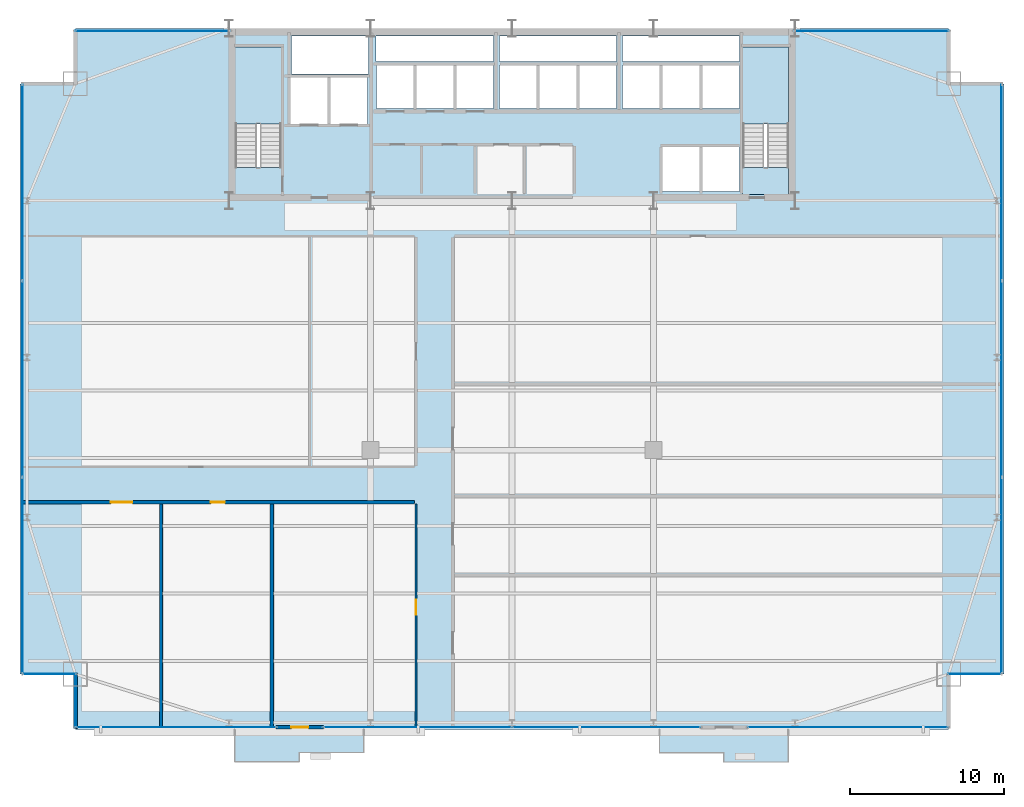
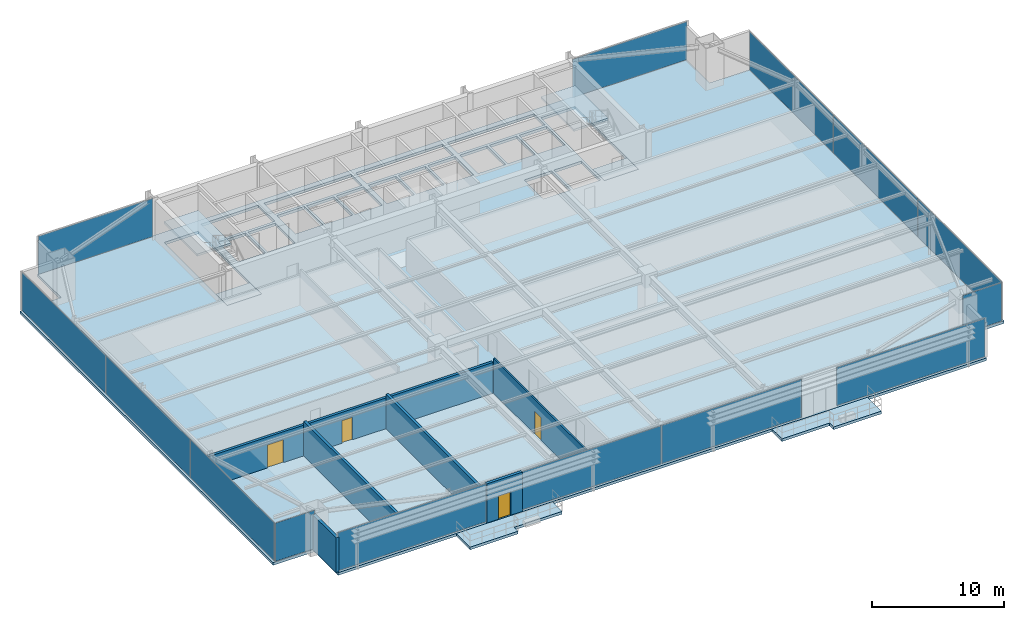
# One storey, part 24 of 29: 14 plates, 7 slabs, 6 walls, 4 doors, 4 openings, 11 elements without a shape of their own.
"""IFC4 building model written with IfcOpenShell, lengths in metres."""

from ifc_helpers import new_model, si_unit, direction, frame, frame_2d, origin, origin_2d, place, context, subcontext, project, spatial, polyline, rectangle, outline, extrude, source, transform, mapped, material, layer, layer_set, type_object, type_shapes, element, fill, aggregate, save


model = new_model("IFC4")

# Units and contexts
model_context = context("Model", 3, precision=1e-05, world=origin(), true_north=direction((0.0, 1.0)))
body_context = subcontext(model_context, "Body", "Model", "MODEL_VIEW")
ifc_project = project(units=[si_unit("LENGTHUNIT", "METRE"), si_unit("AREAUNIT", "SQUARE_METRE"), si_unit("VOLUMEUNIT", "CUBIC_METRE"), si_unit("PLANEANGLEUNIT", "RADIAN"), si_unit("MASSUNIT", "GRAM", prefix="KILO")], contexts=[model_context])

# Site, building, storey
site_placement = place(None, origin())
site = spatial("IfcSite", under=ifc_project, at=site_placement, CompositionType="ELEMENT")
building_placement = place(site_placement, origin())
building = spatial("IfcBuilding", under=site, at=building_placement, Name="Varnel Quay Broadcast Tower", CompositionType="ELEMENT")
storey_placement = place(building_placement, frame((0.0, 0.0, 74.39990234375)))
storey = spatial("IfcBuildingStorey", under=building, at=storey_placement, Name="L17", CompositionType="ELEMENT", Elevation=74.39990234375)

# Slabs
ifc_material_1 = material(Name="Concrete CSA A23.3 C40/50", Category="concrete")
ifc_layer_1 = layer(ifc_material_1, 0.25, Name="Concrete CSA A23.3 C40/50")
ifc_layer_set_1 = layer_set([ifc_layer_1], Name="Concrete CSA A23.3 C40/50")
slab_type_1 = type_object("IfcSlabType", Name="Slab_ExtTerrace250", PredefinedType="FLOOR", material=ifc_layer_set_1)
slab_1_placement = place(storey_placement, frame((0.0, 0.0, -0.25)))
element("IfcSlab", 1, at=slab_1_placement, inside=storey, type_object=slab_type_1, Name="L17 Planted Lobe Terrace Slab 1", PredefinedType="FLOOR", context=body_context, shape_type="SweptSolid", body=[
    extrude(outline(polyline([(15.9599609375, -0.886962890625), (20.159912109375, -0.886962890625), (20.159912109375, -0.287109375), (24.360107421875, -0.287109375), (24.360107421875, 1.199951171875), (15.9599609375, 1.199951171875), (15.9599609375, -0.886962890625)])), origin(), (0.0, 0.0, 1.0), 0.25),
])
slab_2_placement = place(storey_placement, frame((0.0, 0.0, -0.25)))
element("IfcSlab", 2, at=slab_2_placement, inside=storey, type_object=slab_type_1, Name="L17 Planted Lobe Terrace Slab 2", PredefinedType="FLOOR", context=body_context, shape_type="SweptSolid", body=[
    extrude(outline(polyline([(43.60009765625, -0.31298828125), (47.780029296875, -0.31298828125), (47.780029296875, -0.9130859375), (51.9599609375, -0.9130859375), (51.9599609375, 1.199951171875), (43.60009765625, 1.199951171875), (43.60009765625, -0.31298828125)])), origin(), (0.0, 0.0, 1.0), 0.25),
])
ifc_material_2 = material(Name="Concrete CSA A23.3 C50/60", Category="concrete")
ifc_layer_2 = layer(ifc_material_2, 0.25, Name="Concrete CSA A23.3 C50/60")
ifc_layer_set_2 = layer_set([ifc_layer_2], Name="Concrete CSA A23.3 C50/60")
slab_type_2 = type_object("IfcSlabType", Name="Slab_Floor250", PredefinedType="FLOOR", material=ifc_layer_set_2)
slab_3_placement = place(storey_placement, frame((0.0, 0.0, -0.25)))
element("IfcSlab", 3, at=slab_3_placement, inside=storey, type_object=slab_type_2, Name="L17 Structural Slab", PredefinedType="FLOOR", context=body_context, shape_type="SweptSolid", body=[
    extrude(outline(polyline([(5.60009765625, 1.199951171875), (62.39990234375, 1.199951171875), (62.39990234375, 4.800048828125), (66.0, 4.800048828125), (66.0, 43.199951171875), (62.39990234375, 43.199951171875), (62.39990234375, 46.800048828125), (5.60009765625, 46.800048828125), (5.60009765625, 43.199951171875), (2.0, 43.199951171875), (2.0, 4.800048828125), (5.60009765625, 4.800048828125), (5.60009765625, 1.199951171875)]), holes=[polyline([(16.0, 36.0), (16.0, 45.60009765625), (19.0, 45.60009765625), (19.0, 36.0), (16.0, 36.0)]), polyline([(19.60009765625, 43.60009765625), (22.0, 43.60009765625), (22.0, 40.60009765625), (19.60009765625, 40.60009765625), (19.60009765625, 43.60009765625)]), polyline([(22.199951171875, 43.60009765625), (24.60009765625, 43.60009765625), (24.60009765625, 40.60009765625), (22.199951171875, 40.60009765625), (22.199951171875, 43.60009765625)]), polyline([(25.199951171875, 44.39990234375), (27.60009765625, 44.39990234375), (27.60009765625, 41.60009765625), (25.199951171875, 41.60009765625), (25.199951171875, 44.39990234375)]), polyline([(27.800048828125, 44.39990234375), (30.199951171875, 44.39990234375), (30.199951171875, 41.60009765625), (27.800048828125, 41.60009765625), (27.800048828125, 44.39990234375)]), polyline([(30.39990234375, 44.39990234375), (32.800048828125, 44.39990234375), (32.800048828125, 41.60009765625), (30.39990234375, 41.60009765625), (30.39990234375, 44.39990234375)]), polyline([(33.199951171875, 44.39990234375), (35.60009765625, 44.39990234375), (35.60009765625, 41.60009765625), (33.199951171875, 41.60009765625), (33.199951171875, 44.39990234375)]), polyline([(38.199951171875, 44.39990234375), (38.199951171875, 41.60009765625), (35.800048828125, 41.60009765625), (35.800048828125, 44.39990234375), (38.199951171875, 44.39990234375)]), polyline([(24.679931640625, 46.300048828125), (24.679931640625, 43.85009765625), (19.64990234375, 43.85009765625), (19.64990234375, 46.300048828125), (24.679931640625, 46.300048828125)]), polyline([(25.14990234375, 46.300048828125), (32.800048828125, 46.300048828125), (32.800048828125, 44.64990234375), (25.14990234375, 44.64990234375), (25.14990234375, 46.300048828125)]), polyline([(43.800048828125, 39.10009765625), (46.199951171875, 39.10009765625), (46.199951171875, 36.199951171875), (43.800048828125, 36.199951171875), (43.800048828125, 39.10009765625)]), polyline([(46.39990234375, 39.10009765625), (48.800048828125, 39.10009765625), (48.800048828125, 36.199951171875), (46.39990234375, 36.199951171875), (46.39990234375, 39.10009765625)]), polyline([(49.0, 45.60009765625), (52.0, 45.60009765625), (52.0, 36.0), (49.0, 36.0), (49.0, 45.60009765625)]), polyline([(40.800048828125, 44.39990234375), (40.800048828125, 41.60009765625), (38.39990234375, 41.60009765625), (38.39990234375, 44.39990234375), (40.800048828125, 44.39990234375)]), polyline([(41.199951171875, 44.39990234375), (43.60009765625, 44.39990234375), (43.60009765625, 41.60009765625), (41.199951171875, 41.60009765625), (41.199951171875, 44.39990234375)]), polyline([(43.800048828125, 44.39990234375), (46.199951171875, 44.39990234375), (46.199951171875, 41.60009765625), (43.800048828125, 41.60009765625), (43.800048828125, 44.39990234375)]), polyline([(46.39990234375, 44.39990234375), (48.800048828125, 44.39990234375), (48.800048828125, 41.60009765625), (46.39990234375, 41.60009765625), (46.39990234375, 44.39990234375)]), polyline([(40.800048828125, 46.300048828125), (40.800048828125, 44.64990234375), (33.199951171875, 44.64990234375), (33.199951171875, 46.300048828125), (40.800048828125, 46.300048828125)]), polyline([(48.800048828125, 46.300048828125), (48.800048828125, 44.64990234375), (41.199951171875, 44.64990234375), (41.199951171875, 46.300048828125), (48.800048828125, 46.300048828125)])]), origin(), (0.0, 0.0, 1.0), 0.25),
])
ifc_layer_3 = layer(ifc_material_2, 0.25, Name="Concrete CSA A23.3 C50/60")
ifc_layer_set_3 = layer_set([ifc_layer_3], Name="Concrete CSA A23.3 C50/60")
slab_type_3 = type_object("IfcSlabType", Name="Slab_StairFloorLanding250", PredefinedType="FLOOR", material=ifc_layer_set_3)
slab_4_placement = place(storey_placement, frame((0.0, 0.0, -0.25)))
element("IfcSlab", 4, at=slab_4_placement, inside=storey, type_object=slab_type_3, Name="L17 ST-01 Structural Floor Landing Slab", PredefinedType="FLOOR", context=body_context, shape_type="SweptSolid", body=[
    extrude(outline(polyline([(19.0, 36.0), (19.0, 37.75), (16.0, 37.75), (16.0, 36.0), (19.0, 36.0)])), origin(), (0.0, 0.0, 1.0), 0.25),
])
slab_5_placement = place(storey_placement, frame((0.0, 0.0, -0.25)))
element("IfcSlab", 5, at=slab_5_placement, inside=storey, type_object=slab_type_3, Name="L17 ST-02 Structural Floor Landing Slab", PredefinedType="FLOOR", context=body_context, shape_type="SweptSolid", body=[
    extrude(outline(polyline([(52.0, 36.0), (52.0, 37.75), (49.0, 37.75), (49.0, 36.0), (52.0, 36.0)])), origin(), (0.0, 0.0, 1.0), 0.25),
])

# Stair, slab
ifc_material_3 = material(Name="Precast Structural Concrete C40/50", Category="concrete")
stair_type_1 = type_object("IfcStairType", Name="Stair_ST-01", PredefinedType="HALF_TURN_STAIR", material=ifc_material_3)
stair_1_placement = place(storey_placement, origin())
stair_1 = element("IfcStair", 6, at=stair_1_placement, inside=storey, type_object=stair_type_1, Name="L17 West Core Exit Stair 1", PredefinedType="HALF_TURN_STAIR")
ifc_layer_4 = layer(ifc_material_3, 0.199951171875, Name="Precast Structural Concrete C40/50")
ifc_layer_set_4 = layer_set([ifc_layer_4], Name="Precast Structural Concrete C40/50")
slab_type_4 = type_object("IfcSlabType", Name="Slab_StairLanding200", PredefinedType="LANDING", material=ifc_layer_set_4)
slab_6_placement = place(storey_placement, frame((0.0, 0.0, 1.75)))
slab_6 = element("IfcSlab", 7, at=slab_6_placement, type_object=slab_type_4, Name="ST-01 landing 1", PredefinedType="LANDING", context=body_context, shape_type="SweptSolid", body=[
    extrude(outline(polyline([(19.0, 40.60009765625), (19.0, 45.60009765625), (16.0, 45.60009765625), (16.0, 40.60009765625), (19.0, 40.60009765625)])), origin(), (0.0, 0.0, 1.0), 0.2001953125),
])
aggregate(stair_1, [slab_6])

stair_type_2 = type_object("IfcStairType", Name="Stair_ST-02", PredefinedType="HALF_TURN_STAIR", material=ifc_material_3)
stair_2_placement = place(storey_placement, origin())
stair_2 = element("IfcStair", 8, at=stair_2_placement, inside=storey, type_object=stair_type_2, Name="L17 East Core Exit Stair 2", PredefinedType="HALF_TURN_STAIR")
slab_7_placement = place(storey_placement, frame((0.0, 0.0, 1.75)))
slab_7 = element("IfcSlab", 9, at=slab_7_placement, type_object=slab_type_4, Name="ST-02 landing 1", PredefinedType="LANDING", context=body_context, shape_type="SweptSolid", body=[
    extrude(outline(polyline([(52.0, 40.60009765625), (52.0, 45.60009765625), (49.0, 45.60009765625), (49.0, 40.60009765625), (52.0, 40.60009765625)])), origin(), (0.0, 0.0, 1.0), 0.2001953125),
])
aggregate(stair_2, [slab_7])

# Curtain wall, plate
ifc_material_4 = material(Name="Anodised Bronze Aluminium 6063-T6", Category="aluminium")
ifc_layer_5 = layer(ifc_material_4, 0.18994140625, Name="Anodised Bronze Aluminium 6063-T6")
ifc_layer_set_5 = layer_set([ifc_layer_5], Name="Anodised Bronze Aluminium 6063-T6")
curtain_wall_type_1 = type_object("IfcCurtainWallType", Name="CW_LowerTower", PredefinedType="NOTDEFINED", material=ifc_layer_set_5)
curtain_wall_1_placement = place(storey_placement, origin())
curtain_wall_1 = element("IfcCurtainWall", 10, at=curtain_wall_1_placement, inside=storey, type_object=curtain_wall_type_1, Name="L17 South Unitised Curtain Wall 1", PredefinedType="NOTDEFINED")
ifc_material_5 = material(Name="Triple-Glazed Bronze Low-E Architectural Glass", Category="glass")
ifc_layer_6 = layer(ifc_material_5, 0.031982421875, Name="Triple-Glazed Bronze Low-E Architectural Glass")
ifc_layer_set_6 = layer_set([ifc_layer_6], Name="Triple-Glazed Bronze Low-E Architectural Glass")
plate_type_1 = type_object("IfcPlateType", Name="Panel_CWS-02", PredefinedType="CURTAIN_PANEL", material=ifc_layer_set_6)
shared_shape_1 = source(origin(), body_context, "Body", "SweptSolid", [
    extrude(rectangle(XDim=12.97998046875, YDim=0.031982421875, at=origin_2d()), origin(), (0.0, 0.0, 1.0), 3.530029296875),
])
plate_1_placement = place(storey_placement, frame((12.159912109375, 1.35009765625, 0.06005859375), z_axis=(0.0, 0.0, 1.0), x_axis=(1.0, 0.0, 0.0)))
plate_1 = element("IfcPlate", 11, at=plate_1_placement, type_object=plate_type_1, Name="CWS-02 panel 1.1", PredefinedType="CURTAIN_PANEL", context=body_context, shape_type="MappedRepresentation", body=[
    mapped(shared_shape_1, transform((0.0, 0.0, 0.0), x_axis=(1.0, 0.0, 0.0), y_axis=(0.0, 1.0, 0.0), z_axis=(0.0, 0.0, 1.0), scale=1.0)),
])
aggregate(curtain_wall_1, [plate_1])

curtain_wall_2_placement = place(storey_placement, origin())
curtain_wall_2 = element("IfcCurtainWall", 12, at=curtain_wall_2_placement, inside=storey, type_object=curtain_wall_type_1, Name="L17 South Unitised Curtain Wall 3", PredefinedType="NOTDEFINED")
plate_2_placement = place(storey_placement, frame((55.840087890625, 1.35009765625, 0.06005859375), z_axis=(0.0, 0.0, 1.0), x_axis=(1.0, 0.0, 0.0)))
plate_2 = element("IfcPlate", 13, at=plate_2_placement, type_object=plate_type_1, Name="CWS-02 panel 1.1", PredefinedType="CURTAIN_PANEL", context=body_context, shape_type="MappedRepresentation", body=[
    mapped(shared_shape_1, transform((0.0, 0.0, 0.0), x_axis=(1.0, 0.0, 0.0), y_axis=(0.0, 1.0, 0.0), z_axis=(0.0, 0.0, 1.0), scale=1.0)),
])
aggregate(curtain_wall_2, [plate_2])

# Curtain wall, plates
curtain_wall_3_placement = place(storey_placement, origin())
curtain_wall_3 = element("IfcCurtainWall", 14, at=curtain_wall_3_placement, inside=storey, type_object=curtain_wall_type_1, Name="L17 South Unitised Curtain Wall 2", PredefinedType="NOTDEFINED")
ifc_material_6 = material(Name="Insulated Bronze Spandrel Glass", Category="glass")
ifc_layer_7 = layer(ifc_material_6, 0.031982421875, Name="Insulated Bronze Spandrel Glass")
ifc_layer_set_7 = layer_set([ifc_layer_7], Name="Insulated Bronze Spandrel Glass")
plate_type_2 = type_object("IfcPlateType", Name="PanelSp_CWS-02", PredefinedType="CURTAIN_PANEL", material=ifc_layer_set_7)
shared_shape_2 = source(origin(), body_context, "Body", "SweptSolid", [
    extrude(rectangle(XDim=12.215087890625, YDim=0.031982421875, at=origin_2d()), origin(), (0.0, 0.0, 1.0), 3.530029296875),
])
plate_3_placement = place(storey_placement, frame((27.857421875, 1.35009765625, 0.06005859375), z_axis=(0.0, 0.0, 1.0), x_axis=(1.0, 0.0, 0.0)))
plate_3 = element("IfcPlate", 15, at=plate_3_placement, type_object=plate_type_2, Name="CWS-02 panel 1.1", PredefinedType="CURTAIN_PANEL", context=body_context, shape_type="MappedRepresentation", body=[
    mapped(shared_shape_2, transform((0.0, 0.0, 0.0), x_axis=(1.0, 0.0, 0.0), y_axis=(0.0, 1.0, 0.0), z_axis=(0.0, 0.0, 1.0), scale=1.0)),
])
plate_4_placement = place(storey_placement, frame((40.142578125, 1.35009765625, 0.06005859375), z_axis=(0.0, 0.0, 1.0), x_axis=(1.0, 0.0, 0.0)))
plate_4 = element("IfcPlate", 16, at=plate_4_placement, type_object=plate_type_2, Name="CWS-02 panel 2.1", PredefinedType="CURTAIN_PANEL", context=body_context, shape_type="MappedRepresentation", body=[
    mapped(shared_shape_2, transform((0.0, 0.0, 0.0), x_axis=(1.0, 0.0, 0.0), y_axis=(0.0, 1.0, 0.0), z_axis=(0.0, 0.0, 1.0), scale=1.0)),
])
aggregate(curtain_wall_3, [plate_3, plate_4])

# Curtain wall, plate
curtain_wall_4_placement = place(storey_placement, origin())
curtain_wall_4 = element("IfcCurtainWall", 17, at=curtain_wall_4_placement, inside=storey, type_object=curtain_wall_type_1, Name="L17 West Unitised Curtain Wall", PredefinedType="NOTDEFINED")
shared_shape_3 = source(origin(), body_context, "Body", "SweptSolid", [
    extrude(rectangle(XDim=12.695068359375, YDim=0.031982421875, at=origin_2d()), origin(), (0.0, 0.0, 1.0), 3.530029296875),
])
plate_5_placement = place(storey_placement, frame((2.14990234375, 36.782470703125, 0.06005859375), z_axis=(0.0, 0.0, 1.0), x_axis=(0.0, 1.0, 0.0)))
plate_5 = element("IfcPlate", 18, at=plate_5_placement, type_object=plate_type_2, Name="CWS-02 panel 3.1", PredefinedType="CURTAIN_PANEL", context=body_context, shape_type="MappedRepresentation", body=[
    mapped(shared_shape_3, transform((0.0, 0.0, 0.0), x_axis=(1.0, 0.0, 0.0), y_axis=(0.0, 1.0, 0.0), z_axis=(0.0, 0.0, 1.0), scale=1.0)),
])

curtain_wall_5_placement = place(storey_placement, origin())
curtain_wall_5 = element("IfcCurtainWall", 19, at=curtain_wall_5_placement, inside=storey, type_object=curtain_wall_type_1, Name="L17 East Unitised Curtain Wall", PredefinedType="NOTDEFINED")
plate_6_placement = place(storey_placement, frame((65.85009765625, 36.782470703125, 0.06005859375), z_axis=(0.0, 0.0, 1.0), x_axis=(0.0, 1.0, 0.0)))
plate_6 = element("IfcPlate", 20, at=plate_6_placement, type_object=plate_type_2, Name="CWS-02 panel 3.1", PredefinedType="CURTAIN_PANEL", context=body_context, shape_type="MappedRepresentation", body=[
    mapped(shared_shape_3, transform((0.0, 0.0, 0.0), x_axis=(1.0, 0.0, 0.0), y_axis=(0.0, 1.0, 0.0), z_axis=(0.0, 0.0, 1.0), scale=1.0)),
])

# Plate
shared_shape_4 = source(origin(), body_context, "Body", "SweptSolid", [
    extrude(rectangle(XDim=12.72998046875, YDim=0.031982421875, at=origin_2d()), origin(), (0.0, 0.0, 1.0), 3.530029296875),
])
type_shapes(plate_type_2, [shared_shape_2, shared_shape_3, shared_shape_4])
plate_7_placement = place(storey_placement, frame((2.14990234375, 24.0, 0.06005859375), z_axis=(0.0, 0.0, 1.0), x_axis=(0.0, 1.0, 0.0)))
plate_7 = element("IfcPlate", 21, at=plate_7_placement, type_object=plate_type_2, Name="CWS-02 panel 2.1", PredefinedType="CURTAIN_PANEL", context=body_context, shape_type="MappedRepresentation", body=[
    mapped(shared_shape_4, transform((0.0, 0.0, 0.0), x_axis=(1.0, 0.0, 0.0), y_axis=(0.0, 1.0, 0.0), z_axis=(0.0, 0.0, 1.0), scale=1.0)),
])

plate_8_placement = place(storey_placement, frame((65.85009765625, 24.0, 0.06005859375), z_axis=(0.0, 0.0, 1.0), x_axis=(0.0, 1.0, 0.0)))
plate_8 = element("IfcPlate", 22, at=plate_8_placement, type_object=plate_type_2, Name="CWS-02 panel 2.1", PredefinedType="CURTAIN_PANEL", context=body_context, shape_type="MappedRepresentation", body=[
    mapped(shared_shape_4, transform((0.0, 0.0, 0.0), x_axis=(1.0, 0.0, 0.0), y_axis=(0.0, 1.0, 0.0), z_axis=(0.0, 0.0, 1.0), scale=1.0)),
])

# Curtain wall, plate
ifc_layer_8 = layer(ifc_material_4, 0.18994140625, Name="Anodised Bronze Aluminium 6063-T6")
ifc_layer_set_8 = layer_set([ifc_layer_8], Name="Anodised Bronze Aluminium 6063-T6")
curtain_wall_type_2 = type_object("IfcCurtainWallType", Name="CW_NotchCorner", PredefinedType="NOTDEFINED", material=ifc_layer_set_8)
curtain_wall_6_placement = place(storey_placement, origin())
curtain_wall_6 = element("IfcCurtainWall", 23, at=curtain_wall_6_placement, inside=storey, type_object=curtain_wall_type_2, Name="L17 SW Notch Curtain Wall", PredefinedType="NOTDEFINED")
ifc_layer_9 = layer(ifc_material_5, 0.028076171875, Name="Triple-Glazed Bronze Low-E Architectural Glass")
ifc_layer_set_9 = layer_set([ifc_layer_9], Name="Triple-Glazed Bronze Low-E Architectural Glass")
plate_type_3 = type_object("IfcPlateType", Name="Panel_CWS-04", PredefinedType="CURTAIN_PANEL", material=ifc_layer_set_9)
shared_shape_5 = source(origin(), body_context, "Body", "SweptSolid", [
    extrude(rectangle(XDim=3.409912109375, YDim=0.028076171875, at=origin_2d()), origin(), (0.0, 0.0, 1.0), 3.5400390625),
])
type_shapes(plate_type_3, [shared_shape_5])
plate_9_placement = place(storey_placement, frame((3.9150390625, 4.800048828125, 0.05517578125), z_axis=(0.0, 0.0, 1.0), x_axis=(1.0, 0.0, 0.0)))
plate_9 = element("IfcPlate", 24, at=plate_9_placement, type_object=plate_type_3, Name="CWS-04 panel 1.1", PredefinedType="CURTAIN_PANEL", context=body_context, shape_type="MappedRepresentation", body=[
    mapped(shared_shape_5, transform((0.0, 0.0, 0.0), x_axis=(1.0, 0.0, 0.0), y_axis=(0.0, 1.0, 0.0), z_axis=(0.0, 0.0, 1.0), scale=1.0)),
])
aggregate(curtain_wall_6, [plate_9])

curtain_wall_7_placement = place(storey_placement, origin())
curtain_wall_7 = element("IfcCurtainWall", 25, at=curtain_wall_7_placement, inside=storey, type_object=curtain_wall_type_2, Name="L17 SE Notch Curtain Wall", PredefinedType="NOTDEFINED")
plate_10_placement = place(storey_placement, frame((64.0849609375, 4.800048828125, 0.05517578125), z_axis=(0.0, 0.0, 1.0), x_axis=(1.0, 0.0, 0.0)))
plate_10 = element("IfcPlate", 26, at=plate_10_placement, type_object=plate_type_3, Name="CWS-04 panel 1.1", PredefinedType="CURTAIN_PANEL", context=body_context, shape_type="MappedRepresentation", body=[
    mapped(shared_shape_5, transform((0.0, 0.0, 0.0), x_axis=(1.0, 0.0, 0.0), y_axis=(0.0, 1.0, 0.0), z_axis=(0.0, 0.0, 1.0), scale=1.0)),
])
aggregate(curtain_wall_7, [plate_10])

curtain_wall_8_placement = place(storey_placement, origin())
curtain_wall_8 = element("IfcCurtainWall", 27, at=curtain_wall_8_placement, inside=storey, type_object=curtain_wall_type_1, Name="L17 NW Wing Curtain Wall", PredefinedType="NOTDEFINED")
shared_shape_6 = source(origin(), body_context, "Body", "SweptSolid", [
    extrude(rectangle(XDim=10.0400390625, YDim=0.031982421875, at=origin_2d()), origin(), (0.0, 0.0, 1.0), 3.530029296875),
])
plate_11_placement = place(storey_placement, frame((10.610107421875, 46.64990234375, 0.06005859375), z_axis=(0.0, 0.0, 1.0), x_axis=(1.0, 0.0, 0.0)))
plate_11 = element("IfcPlate", 28, at=plate_11_placement, type_object=plate_type_1, Name="CWS-02 panel 1.1", PredefinedType="CURTAIN_PANEL", context=body_context, shape_type="MappedRepresentation", body=[
    mapped(shared_shape_6, transform((0.0, 0.0, 0.0), x_axis=(1.0, 0.0, 0.0), y_axis=(0.0, 1.0, 0.0), z_axis=(0.0, 0.0, 1.0), scale=1.0)),
])
aggregate(curtain_wall_8, [plate_11])

curtain_wall_9_placement = place(storey_placement, origin())
curtain_wall_9 = element("IfcCurtainWall", 29, at=curtain_wall_9_placement, inside=storey, type_object=curtain_wall_type_1, Name="L17 NE Wing Curtain Wall", PredefinedType="NOTDEFINED")
plate_12_placement = place(storey_placement, frame((57.389892578125, 46.64990234375, 0.06005859375), z_axis=(0.0, 0.0, 1.0), x_axis=(1.0, 0.0, 0.0)))
plate_12 = element("IfcPlate", 30, at=plate_12_placement, type_object=plate_type_1, Name="CWS-02 panel 1.1", PredefinedType="CURTAIN_PANEL", context=body_context, shape_type="MappedRepresentation", body=[
    mapped(shared_shape_6, transform((0.0, 0.0, 0.0), x_axis=(1.0, 0.0, 0.0), y_axis=(0.0, 1.0, 0.0), z_axis=(0.0, 0.0, 1.0), scale=1.0)),
])
aggregate(curtain_wall_9, [plate_12])

# Plate
shared_shape_7 = source(origin(), body_context, "Body", "SweptSolid", [
    extrude(rectangle(XDim=12.695068359375, YDim=0.031982421875, at=origin_2d()), origin(), (0.0, 0.0, 1.0), 3.530029296875),
])
type_shapes(plate_type_1, [shared_shape_1, shared_shape_6, shared_shape_7])
plate_13_placement = place(storey_placement, frame((2.14990234375, 11.217529296875, 0.06005859375), z_axis=(0.0, 0.0, 1.0), x_axis=(0.0, 1.0, 0.0)))
plate_13 = element("IfcPlate", 31, at=plate_13_placement, type_object=plate_type_1, Name="CWS-02 panel 1.1", PredefinedType="CURTAIN_PANEL", context=body_context, shape_type="MappedRepresentation", body=[
    mapped(shared_shape_7, transform((0.0, 0.0, 0.0), x_axis=(1.0, 0.0, 0.0), y_axis=(0.0, 1.0, 0.0), z_axis=(0.0, 0.0, 1.0), scale=1.0)),
])

aggregate(curtain_wall_4, [plate_13, plate_7, plate_5])

plate_14_placement = place(storey_placement, frame((65.85009765625, 11.217529296875, 0.06005859375), z_axis=(0.0, 0.0, 1.0), x_axis=(0.0, 1.0, 0.0)))
plate_14 = element("IfcPlate", 32, at=plate_14_placement, type_object=plate_type_1, Name="CWS-02 panel 1.1", PredefinedType="CURTAIN_PANEL", context=body_context, shape_type="MappedRepresentation", body=[
    mapped(shared_shape_7, transform((0.0, 0.0, 0.0), x_axis=(1.0, 0.0, 0.0), y_axis=(0.0, 1.0, 0.0), z_axis=(0.0, 0.0, 1.0), scale=1.0)),
])

aggregate(curtain_wall_5, [plate_14, plate_8, plate_6])

# Wall, opening, door
ifc_material_7 = material(Name="Precast Architectural Concrete C40/50", Category="concrete")
ifc_layer_10 = layer(ifc_material_7, 0.25, Name="Precast Architectural Concrete C40/50")
ifc_layer_set_10 = layer_set([ifc_layer_10], Name="Precast Architectural Concrete C40/50")
wall_type_1 = type_object("IfcWallType", Name="Wall_ExtTerrace250", PredefinedType="SOLIDWALL", material=ifc_layer_set_10)
wall_1_placement = place(storey_placement, frame((18.64990234375, 1.35009765625, 0.0), z_axis=(0.0, 0.0, 1.0), x_axis=(1.0, 0.0, 0.0)))
wall_1 = element("IfcWall", 33, at=wall_1_placement, inside=storey, type_object=wall_type_1, Name="L17 Terrace Access Wall 1", PredefinedType="SOLIDWALL", context=body_context, shape_type="SweptSolid", body=[
    extrude(rectangle(XDim=3.10009765625, YDim=0.25, at=frame_2d((1.550048828125, 0.0))), origin(), (0.0, 0.0, 1.0), 3.630126953125),
])
opening_1_placement = place(wall_1_placement, frame((1.0, 0.0, 0.0)))
opening_1 = element("IfcOpeningElement", 34, at=opening_1_placement, cuts=wall_1, Name="Opening TD-171", PredefinedType="OPENING", context=body_context, shape_type="SweptSolid", body=[
    extrude(rectangle(XDim=1.10009765625, YDim=2.14990234375, at=frame_2d((0.550048828125, 1.074951171875))), frame((0.0, 0.135009765625, 0.0), z_axis=(0.0, -1.0, 0.0), x_axis=(1.0, 0.0, 0.0)), (0.0, 0.0, 1.0), 0.27001953125),
])
door_type_1 = type_object("IfcDoorType", Name="Door_ExtTerrace1100", OperationType="NOTDEFINED", PredefinedType="DOOR", material=ifc_material_4)
shared_shape_8 = source(origin(), body_context, "Body", "SweptSolid", [
    extrude(rectangle(XDim=1.10009765625, YDim=2.14990234375, at=frame_2d((0.550048828125, 1.074951171875))), frame((0.0, 0.02490234375, 0.0), z_axis=(0.0, -1.0, 0.0), x_axis=(1.0, 0.0, 0.0)), (0.0, 0.0, 1.0), 0.050048828125),
])
type_shapes(door_type_1, [shared_shape_8])
door_1_placement = place(opening_1_placement, frame((1.10009765625, 0.0, 0.0), z_axis=(0.0, 0.0, 1.0), x_axis=(-1.0, 0.0, 0.0)))
door_1 = element("IfcDoor", 35, at=door_1_placement, inside=storey, type_object=door_type_1, Name="L17 Terrace Door TD-171", OperationType="SINGLE_SWING_LEFT", OverallHeight=2.14990234375, OverallWidth=1.10009765625, PredefinedType="DOOR", context=body_context, shape_type="MappedRepresentation", body=[
    mapped(shared_shape_8, transform((0.0, 0.0, 0.0), x_axis=(1.0, 0.0, 0.0), y_axis=(0.0, 1.0, 0.0), z_axis=(0.0, 0.0, 1.0), scale=1.0)),
])
fill(opening_1, door_1)

# Wall
wall_2_placement = place(storey_placement, frame((5.60009765625, 1.280029296875, 0.0), z_axis=(0.0, 0.0, 1.0), x_axis=(0.0, 1.0, 0.0)))
element("IfcWall", 36, at=wall_2_placement, inside=storey, type_object=wall_type_1, Name="L17 Mega-Column Notch Cladding Wall NSW2", PredefinedType="SOLIDWALL", context=body_context, shape_type="SweptSolid", body=[
    extrude(rectangle(XDim=3.599853515625, YDim=0.25, at=frame_2d((1.7998046875, 0.0))), origin(), (0.0, 0.0, 1.0), 3.2080078125),
])

# Wall, opening, door
ifc_material_8 = material(Name="Steel-Stud Fire-Rated Acoustic Gypsum Partition Assembly", Category="steel")
ifc_layer_11 = layer(ifc_material_8, 0.139892578125, Name="Steel-Stud Fire-Rated Acoustic Gypsum Partition Assembly")
ifc_layer_set_11 = layer_set([ifc_layer_11], Name="Steel-Stud Fire-Rated Acoustic Gypsum Partition Assembly")
wall_type_2 = type_object("IfcWallType", Name="Wall_Partition140", PredefinedType="PARTITIONING", material=ifc_layer_set_11)
wall_3_placement = place(storey_placement, frame((27.75, 1.3798828125, 0.0), z_axis=(0.0, 0.0, 1.0), x_axis=(0.0, 1.0, 0.0)))
wall_3 = element("IfcWall", 37, at=wall_3_placement, inside=storey, type_object=wall_type_2, Name="L17 Talent Lounge 3 Partition 10", PredefinedType="PARTITIONING", context=body_context, shape_type="SweptSolid", body=[
    extrude(rectangle(XDim=14.487060546875, YDim=0.139892578125, at=frame_2d((7.24365234375, 0.0))), origin(), (0.0, 0.0, 1.0), 3.2080078125),
])
opening_2_placement = place(wall_3_placement, frame((7.27392578125, 0.0, 0.0)))
opening_2 = element("IfcOpeningElement", 38, at=opening_2_placement, cuts=wall_3, Name="Opening D-L17-07", PredefinedType="OPENING", context=body_context, shape_type="SweptSolid", body=[
    extrude(rectangle(XDim=1.0, YDim=2.10009765625, at=frame_2d((0.5, 1.050048828125))), frame((0.0, 0.080078125, 0.0), z_axis=(0.0, -1.0, 0.0), x_axis=(1.0, 0.0, 0.0)), (0.0, 0.0, 1.0), 0.159912109375),
])
ifc_material_9 = material(Name="Solid-Core Fire-Rated Acoustic Oak Veneer Door", Category="wood")
door_type_2 = type_object("IfcDoorType", Name="Door_Exec1000", OperationType="NOTDEFINED", PredefinedType="DOOR", material=ifc_material_9)
shared_shape_9 = source(origin(), body_context, "Body", "SweptSolid", [
    extrude(rectangle(XDim=1.0, YDim=2.10009765625, at=frame_2d((0.5, 1.050048828125))), frame((0.0, 0.02490234375, 0.0), z_axis=(0.0, -1.0, 0.0), x_axis=(1.0, 0.0, 0.0)), (0.0, 0.0, 1.0), 0.050048828125),
])
type_shapes(door_type_2, [shared_shape_9])
door_2_placement = place(opening_2_placement, origin())
door_2 = element("IfcDoor", 39, at=door_2_placement, inside=storey, type_object=door_type_2, Name="L17 Talent Lounge 3 Door D-L17-07", OperationType="SINGLE_SWING_RIGHT", OverallHeight=2.10009765625, OverallWidth=1.0, PredefinedType="DOOR", context=body_context, shape_type="MappedRepresentation", body=[
    mapped(shared_shape_9, transform((0.0, 0.0, 0.0), x_axis=(1.0, 0.0, 0.0), y_axis=(0.0, 1.0, 0.0), z_axis=(0.0, 0.0, 1.0), scale=1.0)),
])
fill(opening_2, door_2)

# Wall
ifc_layer_12 = layer(ifc_material_8, 0.22509765625, Name="Steel-Stud Fire-Rated Acoustic Gypsum Partition Assembly")
ifc_layer_set_12 = layer_set([ifc_layer_12], Name="Steel-Stud Fire-Rated Acoustic Gypsum Partition Assembly")
wall_type_3 = type_object("IfcWallType", Name="Wall_Partition225", PredefinedType="PARTITIONING", material=ifc_layer_set_12)
wall_4_placement = place(storey_placement, frame((11.169921875, 1.3798828125, 0.0), z_axis=(0.0, 0.0, 1.0), x_axis=(0.0, 1.0, 0.0)))
element("IfcWall", 40, at=wall_4_placement, inside=storey, type_object=wall_type_3, Name="L17 Voice Booth 1 Partition 7", PredefinedType="PARTITIONING", context=body_context, shape_type="SweptSolid", body=[
    extrude(rectangle(XDim=14.487060546875, YDim=0.22509765625, at=frame_2d((7.24365234375, 0.0))), origin(), (0.0, 0.0, 1.0), 3.2080078125),
])

# Wall, openings, doors
wall_5_placement = place(storey_placement, frame((2.179931640625, 15.97998046875, 0.0), z_axis=(0.0, 0.0, 1.0), x_axis=(1.0, 0.0, 0.0)))
wall_5 = element("IfcWall", 41, at=wall_5_placement, inside=storey, type_object=wall_type_3, Name="L17 Voice Booth 1 Partition 8", PredefinedType="PARTITIONING", context=body_context, shape_type="SweptSolid", body=[
    extrude(rectangle(XDim=25.469970703125, YDim=0.22509765625, at=frame_2d((12.73486328125, 0.0))), origin(), (0.0, 0.0, 1.0), 2.85205078125),
])
opening_3_placement = place(wall_5_placement, frame((5.72998046875, 0.0, 0.0)))
opening_3 = element("IfcOpeningElement", 42, at=opening_3_placement, cuts=wall_5, Name="Opening D-L17-05", PredefinedType="OPENING", context=body_context, shape_type="SweptSolid", body=[
    extrude(rectangle(XDim=1.39990234375, YDim=2.1201171875, at=frame_2d((0.699951171875, 1.06005859375))), frame((0.0, 0.12255859375, 0.0), z_axis=(0.0, -1.0, 0.0), x_axis=(1.0, 0.0, 0.0)), (0.0, 0.0, 1.0), 0.2451171875),
])
opening_4_placement = place(wall_5_placement, frame((12.22998046875, 0.0, 0.0)))
opening_4 = element("IfcOpeningElement", 43, at=opening_4_placement, cuts=wall_5, Name="Opening D-L17-06", PredefinedType="OPENING", context=body_context, shape_type="SweptSolid", body=[
    extrude(rectangle(XDim=0.919921875, YDim=2.080078125, at=frame_2d((0.4599609375, 1.0400390625))), frame((0.0, 0.12255859375, 0.0), z_axis=(0.0, -1.0, 0.0), x_axis=(1.0, 0.0, 0.0)), (0.0, 0.0, 1.0), 0.2451171875),
])
door_type_3 = type_object("IfcDoorType", Name="Door_Office920", OperationType="NOTDEFINED", PredefinedType="DOOR", material=ifc_material_9)
shared_shape_10 = source(origin(), body_context, "Body", "SweptSolid", [
    extrude(rectangle(XDim=0.919921875, YDim=2.080078125, at=frame_2d((0.4599609375, 1.0400390625))), frame((0.0, 0.02490234375, 0.0), z_axis=(0.0, -1.0, 0.0), x_axis=(1.0, 0.0, 0.0)), (0.0, 0.0, 1.0), 0.050048828125),
])
type_shapes(door_type_3, [shared_shape_10])
door_3_placement = place(opening_4_placement, frame((0.919921875, 0.0, 0.0), z_axis=(0.0, 0.0, 1.0), x_axis=(-1.0, 0.0, 0.0)))
door_3 = element("IfcDoor", 44, at=door_3_placement, inside=storey, type_object=door_type_3, Name="L17 Audio Control Room 2 Door D-L17-06", OperationType="SINGLE_SWING_LEFT", OverallHeight=2.080078125, OverallWidth=0.919921875, PredefinedType="DOOR", context=body_context, shape_type="MappedRepresentation", body=[
    mapped(shared_shape_10, transform((0.0, 0.0, 0.0), x_axis=(1.0, 0.0, 0.0), y_axis=(0.0, 1.0, 0.0), z_axis=(0.0, 0.0, 1.0), scale=1.0)),
])
fill(opening_4, door_3)
door_type_4 = type_object("IfcDoorType", Name="Door_Gallery1400", OperationType="DOUBLE_DOOR_SINGLE_SWING", PredefinedType="DOOR", material=ifc_material_9)
shared_shape_11 = source(origin(), body_context, "Body", "SweptSolid", [
    extrude(rectangle(XDim=1.39990234375, YDim=2.1201171875, at=frame_2d((0.699951171875, 1.06005859375))), frame((0.0, 0.02490234375, 0.0), z_axis=(0.0, -1.0, 0.0), x_axis=(1.0, 0.0, 0.0)), (0.0, 0.0, 1.0), 0.050048828125),
])
type_shapes(door_type_4, [shared_shape_11])
door_4_placement = place(opening_3_placement, frame((1.39990234375, 0.0, 0.0), z_axis=(0.0, 0.0, 1.0), x_axis=(-1.0, 0.0, 0.0)))
door_4 = element("IfcDoor", 45, at=door_4_placement, inside=storey, type_object=door_type_4, Name="L17 Voice Booth 1 Door D-L17-05", OperationType="DOUBLE_DOOR_SINGLE_SWING", OverallHeight=2.1201171875, OverallWidth=1.39990234375, PredefinedType="DOOR", context=body_context, shape_type="MappedRepresentation", body=[
    mapped(shared_shape_11, transform((0.0, 0.0, 0.0), x_axis=(1.0, 0.0, 0.0), y_axis=(0.0, 1.0, 0.0), z_axis=(0.0, 0.0, 1.0), scale=1.0)),
])
fill(opening_3, door_4)

# Wall
wall_6_placement = place(storey_placement, frame((18.3701171875, 1.3798828125, 0.0), z_axis=(0.0, 0.0, 1.0), x_axis=(0.0, 1.0, 0.0)))
element("IfcWall", 46, at=wall_6_placement, inside=storey, type_object=wall_type_3, Name="L17 Audio Control Room 2 Partition 9", PredefinedType="PARTITIONING", context=body_context, shape_type="SweptSolid", body=[
    extrude(rectangle(XDim=14.487060546875, YDim=0.22509765625, at=frame_2d((7.24365234375, 0.0))), origin(), (0.0, 0.0, 1.0), 3.2080078125),
])

save(model, "model.ifc")
